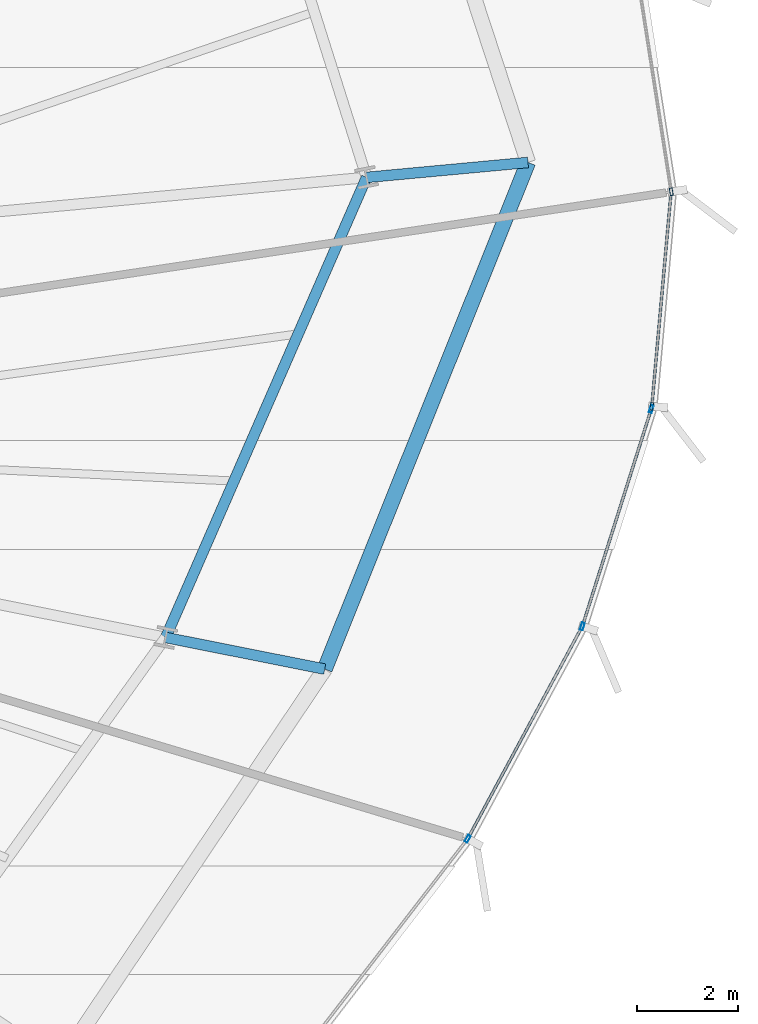
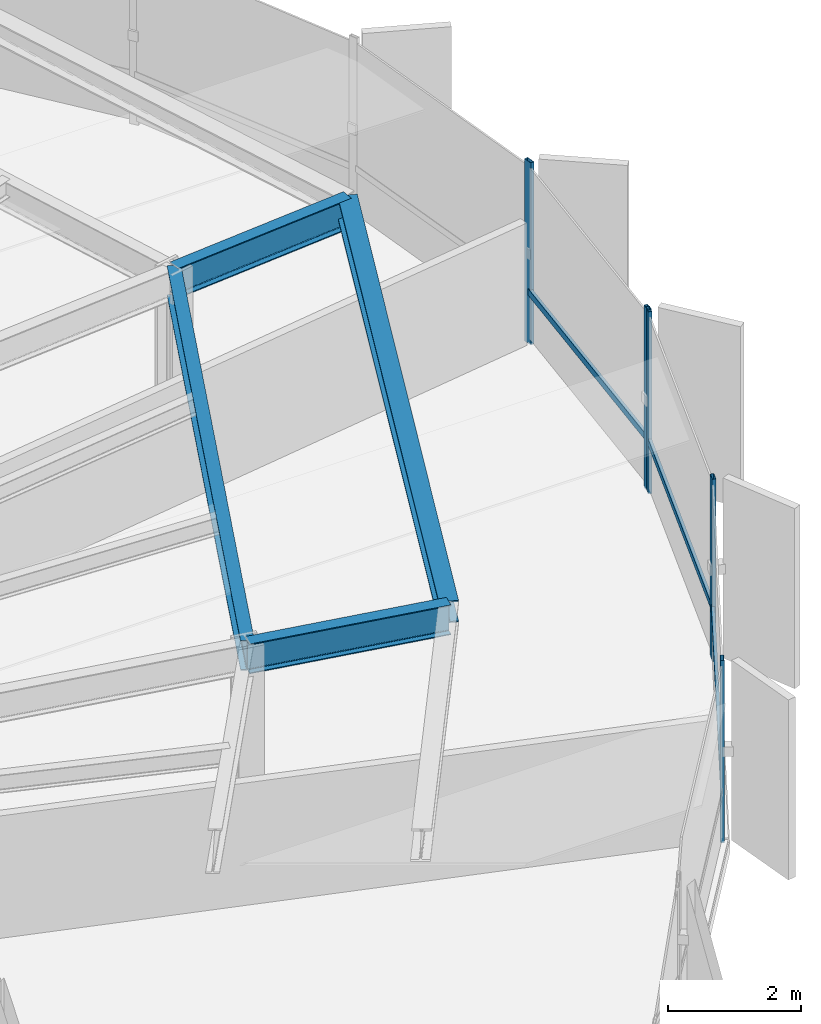
# One storey, part 15 of 35: 8 members, 4 beams, 2 elements without a shape of their own.
"""IFC4 building model written with IfcOpenShell, lengths in metres."""

import ifcopenshell
import ifcopenshell.guid

model = None  # the IFC model being written
_history = None  # IfcOwnerHistory: only IFC2X3 demands one
_inside = {}  # id of a spatial element -> (the spatial element, [elements in it])
_under = {}  # id of a project, library or spatial element -> (it, [spatial elements below it])
_declared = {}  # id of a project -> (the project, [libraries it declares])
_typed = {}  # id of a type object -> (the type object, [elements of that type])
_made_of = {}  # id of a material, layer set ... -> (it, [elements and type objects made of it])


def new_model(schema):
    """Start an empty IFC model of exactly this schema.

    Asked for "IFC4X3", IfcOpenShell would pick the latest addendum, in which some entities
    have other attributes; the version numbers below select the first issue.
    IFC2X3 requires an IfcOwnerHistory on every rooted entity: one is made here for all.
    """
    global model, _history
    if schema == "IFC4X3":
        model = ifcopenshell.file(schema_version=(4, 3, 0, 0))
    else:
        model = ifcopenshell.file(schema=schema)
    _inside.clear()
    _under.clear()
    _declared.clear()
    _typed.clear()
    _made_of.clear()
    _history = None
    if model.schema == "IFC2X3":
        org = make("IfcOrganization", Name="unknown")
        user = make(
            "IfcPersonAndOrganization",
            ThePerson=make("IfcPerson", FamilyName="unknown"),
            TheOrganization=org,
        )
        app = make(
            "IfcApplication",
            ApplicationDeveloper=org,
            Version="unknown",
            ApplicationFullName="unknown",
            ApplicationIdentifier="unknown",
        )
        _history = make(
            "IfcOwnerHistory",
            OwningUser=user,
            OwningApplication=app,
            ChangeAction="ADDED",
            CreationDate=0,
        )
    return model


def make(cls, **values):
    """One entity of the class cls with the attributes given. An attribute that is None is left unset."""
    return model.create_entity(
        cls, **{name: value for name, value in values.items() if value is not None}
    )


def rooted(cls, **values):
    """An entity with a GlobalId (a new one), such as an element, a storey or a relation."""
    return make(cls, GlobalId=ifcopenshell.guid.new(), OwnerHistory=_history, **values)


def si_unit(unit_type, name, prefix=None):
    """IfcSIUnit, for example si_unit("LENGTHUNIT", "METRE", prefix="MILLI")."""
    return make("IfcSIUnit", UnitType=unit_type, Prefix=prefix, Name=name)


def assignment(units):
    """IfcUnitAssignment: the units of a project."""
    return None if units is None else make("IfcUnitAssignment", Units=units)


def point(xyz):
    """IfcCartesianPoint."""
    return None if xyz is None else make("IfcCartesianPoint", Coordinates=xyz)


def direction(xyz):
    """IfcDirection."""
    return None if xyz is None else make("IfcDirection", DirectionRatios=xyz)


def frame(location, z_axis=None, x_axis=None):
    """IfcAxis2Placement3D, a coordinate frame: its origin and axes. An axis left out is left unset."""
    return make(
        "IfcAxis2Placement3D",
        Location=point(location),
        Axis=direction(z_axis),
        RefDirection=direction(x_axis),
    )


def frame_2d(location, x_axis=None):
    """IfcAxis2Placement2D, a coordinate frame in the plane: its origin and x axis."""
    return make(
        "IfcAxis2Placement2D", Location=point(location), RefDirection=direction(x_axis)
    )


def origin():
    """The frame at (0, 0, 0) with its axes left unset."""
    return frame((0.0, 0.0, 0.0))


def origin_2d():
    """The frame at (0, 0) in the plane with its x axis left unset."""
    return frame_2d((0.0, 0.0))


def place(relative_to, where):
    """IfcLocalPlacement: puts the frame where relative to a parent placement (None: the world)."""
    return make(
        "IfcLocalPlacement", PlacementRelTo=relative_to, RelativePlacement=where
    )


def context(
    kind, dimensions, precision=None, world=None, true_north=None, identifier=None
):
    """IfcGeometricRepresentationContext, for example the 3D "Model" context."""
    return make(
        "IfcGeometricRepresentationContext",
        ContextIdentifier=identifier,
        ContextType=kind,
        CoordinateSpaceDimension=dimensions,
        Precision=precision,
        WorldCoordinateSystem=world,
        TrueNorth=true_north,
    )


def subcontext(parent, identifier, kind, view, scale=None):
    """IfcGeometricRepresentationSubContext, for example "Body" below "Model"."""
    return make(
        "IfcGeometricRepresentationSubContext",
        ContextIdentifier=identifier,
        ContextType=kind,
        ParentContext=parent,
        TargetScale=scale,
        TargetView=view,
    )


def project(units=None, contexts=None):
    """IfcProject with its units and contexts."""
    return rooted(
        "IfcProject",
        Name="project",
        RepresentationContexts=contexts,
        UnitsInContext=assignment(units),
    )


def spatial(cls, under=None, at=None, **own):
    """A site, building, storey or space (cls), placed at a placement, below another one or the project."""
    s = rooted(cls, ObjectPlacement=at, **own)
    if under is not None:
        _under.setdefault(under.id(), (under, []))[1].append(s)
    return s


def profile(cls, at=None, kind="AREA", **sizes):
    """A parametric profile (cls). Its sizes go by their IFC names, for example OverallWidth=200.0."""
    return make(cls, ProfileType=kind, Position=at, **sizes)


def hollow_rectangle(**sizes):
    """IfcRectangleHollowProfileDef."""
    return profile("IfcRectangleHollowProfileDef", **sizes)


def i_section(**sizes):
    """IfcIShapeProfileDef."""
    return profile("IfcIShapeProfileDef", **sizes)


def extrude(swept, where, along, depth):
    """IfcExtrudedAreaSolid: the profile swept, set in the frame where, extruded along a direction by depth."""
    return make(
        "IfcExtrudedAreaSolid",
        SweptArea=swept,
        Position=where,
        ExtrudedDirection=direction(along),
        Depth=depth,
    )


def shape(context_of_items, identifier, shape_type, items):
    """IfcShapeRepresentation: the items that make up one representation, for example the "Body"."""
    return make(
        "IfcShapeRepresentation",
        ContextOfItems=context_of_items,
        RepresentationIdentifier=identifier,
        RepresentationType=shape_type,
        Items=items,
    )


def source(mapping_origin, context_of_items, identifier, shape_type, items):
    """IfcRepresentationMap: a shape defined once, which mapped items show again and again."""
    return make(
        "IfcRepresentationMap",
        MappingOrigin=mapping_origin,
        MappedRepresentation=shape(context_of_items, identifier, shape_type, items),
    )


def transform(
    local_origin,
    x_axis=None,
    y_axis=None,
    z_axis=None,
    scale=None,
    scale2=None,
    scale3=None,
    uniform=True,
):
    """IfcCartesianTransformationOperator3D, or its non-uniform kind. x_axis, y_axis, z_axis: its Axis1, 2, 3."""
    if uniform:
        return make(
            "IfcCartesianTransformationOperator3D",
            Axis1=direction(x_axis),
            Axis2=direction(y_axis),
            LocalOrigin=point(local_origin),
            Scale=scale,
            Axis3=direction(z_axis),
        )
    return make(
        "IfcCartesianTransformationOperator3DnonUniform",
        Axis1=direction(x_axis),
        Axis2=direction(y_axis),
        LocalOrigin=point(local_origin),
        Scale=scale,
        Axis3=direction(z_axis),
        Scale2=scale2,
        Scale3=scale3,
    )


def mapped(mapping_source, mapping_target):
    """IfcMappedItem: shows the shape of a source again, moved by a transform."""
    return make(
        "IfcMappedItem", MappingSource=mapping_source, MappingTarget=mapping_target
    )


def material(Name=None, Category=None):
    """IfcMaterial."""
    return make("IfcMaterial", Name=Name, Category=Category)


def layer(
    of_material, thickness, ventilated=None, Name=None, Category=None, Priority=None
):
    """IfcMaterialLayer: one layer of a wall or slab, of a material (None: an air gap)."""
    return make(
        "IfcMaterialLayer",
        Material=of_material,
        LayerThickness=thickness,
        IsVentilated=ventilated,
        Name=Name,
        Category=Category,
        Priority=Priority,
    )


def layer_set(layers, Name=None):
    """IfcMaterialLayerSet."""
    return make("IfcMaterialLayerSet", MaterialLayers=layers, LayerSetName=Name)


def material_profile(
    of_material, cross_section, Name=None, Category=None, Priority=None
):
    """IfcMaterialProfile: a cross section and its material."""
    return make(
        "IfcMaterialProfile",
        Name=Name,
        Material=of_material,
        Profile=cross_section,
        Priority=Priority,
        Category=Category,
    )


def profile_set(profiles, Name=None, composite=None):
    """IfcMaterialProfileSet."""
    return make(
        "IfcMaterialProfileSet",
        Name=Name,
        MaterialProfiles=profiles,
        CompositeProfile=composite,
    )


def made_of(thing, what):
    """Note that an element or type object is made of a material, layer set ...; save() writes the relation."""
    if what is not None:
        _made_of.setdefault(what.id(), (what, []))[1].append(thing)
    return thing


def type_object(cls, material=None, **own):
    """A type object (cls), such as IfcWallType, which elements share."""
    return made_of(rooted(cls, **own), material)


def element(
    cls,
    number,
    at=None,
    inside=None,
    cuts=None,
    type_object=None,
    material=None,
    context=None,
    identifier="Body",
    shape_type=None,
    held_by="IfcProductDefinitionShape",
    body=None,
    shapes=None,
    **own,
):
    """One element of the class cls, such as IfcWall. Its Tag is "e" and its number.

    at: its placement. inside: the storey or other place that contains it. cuts: it is an
    opening in that element (IfcRelVoidsElement). A single representation is given by context,
    identifier, shape_type and body (its items); several are given by shapes. held_by: the class
    of the entity that holds the representations. save() writes the other relations.
    """
    e = rooted(cls, Tag="e%d" % number, ObjectPlacement=at, **own)
    if body is not None:
        shapes = [shape(context, identifier, shape_type, body)]
    if shapes is not None:
        e.Representation = make(held_by, Representations=shapes)
    if inside is not None:
        _inside.setdefault(inside.id(), (inside, []))[1].append(e)
    if cuts is not None:
        rooted(
            "IfcRelVoidsElement", RelatingBuildingElement=cuts, RelatedOpeningElement=e
        )
    if type_object is not None:
        _typed.setdefault(type_object.id(), (type_object, []))[1].append(e)
    return made_of(e, material)


def aggregate(whole, parts):
    """IfcRelAggregates: a whole, such as a stair, and the parts it consists of."""
    return rooted("IfcRelAggregates", RelatingObject=whole, RelatedObjects=parts)


def save(model, path):
    """Write the relations noted so far, then the file.

    IfcRelAggregates (storeys below a building ...), IfcRelContainedInSpatialStructure (elements
    in a storey), IfcRelDefinesByType, IfcRelAssociatesMaterial and IfcRelDeclares: one each for
    every whole, place, type object, material and project.
    """
    for whole, parts in _under.values():
        aggregate(whole, parts)
    for where, things in _inside.values():
        rooted(
            "IfcRelContainedInSpatialStructure",
            RelatedElements=things,
            RelatingStructure=where,
        )
    for kind, things in _typed.values():
        rooted("IfcRelDefinesByType", RelatedObjects=things, RelatingType=kind)
    for what, things in _made_of.values():
        rooted("IfcRelAssociatesMaterial", RelatedObjects=things, RelatingMaterial=what)
    for by, libraries in _declared.values():
        rooted("IfcRelDeclares", RelatingContext=by, RelatedDefinitions=libraries)
    model.write(path)


model = new_model("IFC4")

# Units and contexts
model_context = context("Model", 3, precision=1e-05, world=origin(), true_north=direction((0.0, 1.0)))
body_context = subcontext(model_context, "Body", "Model", "MODEL_VIEW")
ifc_project = project(units=[si_unit("LENGTHUNIT", "METRE"), si_unit("AREAUNIT", "SQUARE_METRE"), si_unit("VOLUMEUNIT", "CUBIC_METRE"), si_unit("PLANEANGLEUNIT", "RADIAN"), si_unit("MASSUNIT", "GRAM", prefix="KILO"), si_unit("THERMODYNAMICTEMPERATUREUNIT", "KELVIN")], contexts=[model_context])

# Site, building, storey
site_placement = place(None, origin())
site = spatial("IfcSite", under=ifc_project, at=site_placement, CompositionType="ELEMENT")
building_placement = place(site_placement, origin())
building = spatial("IfcBuilding", under=site, at=building_placement, Name="Kethvar Cultural Tower", CompositionType="ELEMENT")
storey_placement = place(building_placement, frame((0.0, 0.0, 100.0)))
storey = spatial("IfcBuildingStorey", under=building, at=storey_placement, Name="L24", CompositionType="ELEMENT", Elevation=100.0)

# Beams
ifc_material_1 = material(Name="Steel S355J2", Category="steel")
ifc_material_profile_1 = material_profile(ifc_material_1, i_section(OverallWidth=0.2099609375, OverallDepth=0.550048828125, WebThickness=0.010986328125, FlangeThickness=0.01708984375, FilletRadius=0.02392578125, at=origin_2d()), Name="Steel S355J2 — IPE550")
ifc_profile_set_1 = profile_set([ifc_material_profile_1], Name="Steel S355J2 — IPE550")
beam_type_1 = type_object("IfcBeamType", Name="BM-IPE550", PredefinedType="BEAM", material=ifc_profile_set_1)
shared_shape_1 = source(origin(), body_context, "Body", "SweptSolid", [
    extrude(i_section(OverallWidth=0.2099609375, OverallDepth=0.550048828125, WebThickness=0.010986328125, FlangeThickness=0.01708984375, FilletRadius=0.02392578125, at=origin_2d()), origin(), (0.0, 0.0, 1.0), 3.199951171875),
])
for number, where, z_axis, x_axis, name in (
    (1, (71.6025390625, 32.7333984375, 3.072998046875), (0.995729641608, 0.092317283453, 0.0), (-0.092317283453, 0.995729641608, 0.0), "L24 Perimeter Cantilever Beam RC-01"),
    (2, (67.638671875, 23.65478515625, 3.072998046875), (0.980785550224, -0.195088965533, 0.0), (0.195088965533, 0.980785550224, 0.0), "L24 Perimeter Cantilever Beam RC-16"),
):
    element("IfcBeam", number, at=place(storey_placement, frame(where, z_axis=z_axis, x_axis=x_axis)), inside=storey, type_object=beam_type_1, Name=name, PredefinedType="BEAM", context=body_context, shape_type="MappedRepresentation", body=[
        mapped(shared_shape_1, transform((0.0, 0.0, 0.0), scale=1.0)),
    ])
shared_shape_2 = source(origin(), body_context, "Body", "SweptSolid", [
    extrude(i_section(OverallWidth=0.2099609375, OverallDepth=0.550048828125, WebThickness=0.010986328125, FlangeThickness=0.01708984375, FilletRadius=0.02392578125, at=origin_2d()), origin(), (0.0, 0.0, 1.0), 9.90625),
])
beam_1_placement = place(storey_placement, frame((67.638671875, 23.65478515625, 3.072998046875), z_axis=(0.400138679026, 0.916454602011, 0.0), x_axis=(-0.916454602011, 0.400138679026, 0.0)))
element("IfcBeam", 3, at=beam_1_placement, inside=storey, type_object=beam_type_1, Name="L24 Column Ring Tie Beam CR-16", PredefinedType="BEAM", context=body_context, shape_type="MappedRepresentation", body=[
    mapped(shared_shape_2, transform((0.0, 0.0, 0.0), scale=1.0)),
])
ifc_material_profile_2 = material_profile(ifc_material_1, i_section(OverallWidth=0.300048828125, OverallDepth=0.39990234375, WebThickness=0.013427734375, FlangeThickness=0.02392578125, FilletRadius=0.027099609375, at=origin_2d()), Name="Steel S355J2 — HEB400")
ifc_profile_set_2 = profile_set([ifc_material_profile_2], Name="Steel S355J2 — HEB400")
beam_type_2 = type_object("IfcBeamType", Name="BM-SP400", PredefinedType="SPANDREL", material=ifc_profile_set_2)
shared_shape_3 = source(origin(), body_context, "Body", "SweptSolid", [
    extrude(i_section(OverallWidth=0.300048828125, OverallDepth=0.39990234375, WebThickness=0.013427734375, FlangeThickness=0.02392578125, FilletRadius=0.027099609375, at=origin_2d()), origin(), (0.0, 0.0, 1.0), 10.773193359375),
])
beam_2_placement = place(storey_placement, frame((70.777099609375, 23.030517578125, 3.14794921875), z_axis=(0.372382905959, 0.928079183771, 0.0), x_axis=(-0.928079183771, 0.372382905959, 0.0)))
element("IfcBeam", 4, at=beam_2_placement, inside=storey, type_object=beam_type_2, Name="L24 Perimeter Spandrel Beam SP-16", PredefinedType="SPANDREL", context=body_context, shape_type="MappedRepresentation", body=[
    mapped(shared_shape_3, transform((0.0, 0.0, 0.0), scale=1.0)),
])

# Curtain wall, members
ifc_material_2 = material(Name="Aluminium 6063-T6", Category="aluminium")
ifc_layer = layer(ifc_material_2, 0.179931640625, Name="Aluminium 6063-T6", Category="aluminium")
ifc_layer_set = layer_set([ifc_layer], Name="Aluminium 6063-T6 (180 mm)")
curtain_wall_type = type_object("IfcCurtainWallType", Name="CW-SYS-03-Z2", PredefinedType="NOTDEFINED", material=ifc_layer_set)
curtain_wall_1_placement = place(storey_placement, origin())
curtain_wall_1 = element("IfcCurtainWall", 5, at=curtain_wall_1_placement, inside=storey, type_object=curtain_wall_type, Name="L24 Curtain Wall Run 06", PredefinedType="NOTDEFINED")
ifc_material_profile_3 = material_profile(ifc_material_2, hollow_rectangle(XDim=0.06005859375, YDim=0.14990234375, WallThickness=0.0048828125, at=origin_2d()), Name="Aluminium 6063-T6 — RHS150x60x5")
ifc_profile_set_3 = profile_set([ifc_material_profile_3], Name="Aluminium 6063-T6 — RHS150x60x5")
member_type_1 = type_object("IfcMemberType", Name="CW-SYS-03-Z2-MUL", PredefinedType="MULLION", material=ifc_profile_set_3)
shared_shape_4 = source(origin(), body_context, "Body", "SweptSolid", [
    extrude(hollow_rectangle(XDim=0.06005859375, YDim=0.14990234375, WallThickness=0.0048828125, at=origin_2d()), origin(), (0.0, 0.0, 1.0), 3.35009765625),
])
member_1_placement = place(storey_placement, frame((73.5986328125, 19.682373046875, 0.0), z_axis=(0.0, 0.0, 1.0), x_axis=(-0.880195868894, 0.474610611324, 0.0)))
member_1 = element("IfcMember", 6, at=member_1_placement, type_object=member_type_1, Name="CW-L24-R06 Mullion 5", PredefinedType="MULLION", context=body_context, shape_type="MappedRepresentation", body=[
    mapped(shared_shape_4, transform((0.0, 0.0, 0.0), scale=1.0)),
])
member_2_placement = place(storey_placement, frame((75.86083984375, 23.87353515625, 0.0), z_axis=(0.0, 0.0, 1.0), x_axis=(-0.953211774871, 0.302303344751, 0.0)))
member_2 = element("IfcMember", 7, at=member_2_placement, type_object=member_type_1, Name="CW-L24-R06 Mullion 6", PredefinedType="MULLION", context=body_context, shape_type="MappedRepresentation", body=[
    mapped(shared_shape_4, transform((0.0, 0.0, 0.0), scale=1.0)),
])
member_3_placement = place(storey_placement, frame((77.2216796875, 28.164306640625, 0.0), z_axis=(0.0, 0.0, 1.0), x_axis=(-0.953211774871, 0.302303344751, 0.0)))
member_3 = element("IfcMember", 8, at=member_3_placement, type_object=member_type_1, Name="CW-L24-R06 Mullion 7", PredefinedType="MULLION", context=body_context, shape_type="MappedRepresentation", body=[
    mapped(shared_shape_4, transform((0.0, 0.0, 0.0), scale=1.0)),
])

curtain_wall_2_placement = place(storey_placement, origin())
curtain_wall_2 = element("IfcCurtainWall", 9, at=curtain_wall_2_placement, inside=storey, type_object=curtain_wall_type, Name="L24 Curtain Wall Run 07", PredefinedType="NOTDEFINED")
member_4_placement = place(storey_placement, frame((77.23193359375, 28.2158203125, 0.0), z_axis=(0.0, 0.0, 1.0), x_axis=(-0.996000623907, 0.089346276796, 0.0)))
member_4 = element("IfcMember", 10, at=member_4_placement, type_object=member_type_1, Name="CW-L24-R07 Mullion 1", PredefinedType="MULLION", context=body_context, shape_type="MappedRepresentation", body=[
    mapped(shared_shape_4, transform((0.0, 0.0, 0.0), scale=1.0)),
])
member_5_placement = place(storey_placement, frame((77.615234375, 32.448974609375, 0.0), z_axis=(0.0, 0.0, 1.0), x_axis=(-0.988013809691, -0.15436551383, 0.0)))
member_5 = element("IfcMember", 11, at=member_5_placement, type_object=member_type_1, Name="CW-L24-R07 Mullion 2", PredefinedType="MULLION", context=body_context, shape_type="MappedRepresentation", body=[
    mapped(shared_shape_4, transform((0.0, 0.0, 0.0), scale=1.0)),
])

# Member
ifc_material_profile_4 = material_profile(ifc_material_2, hollow_rectangle(XDim=0.054931640625, YDim=0.1201171875, WallThickness=0.00390625, at=origin_2d()), Name="Aluminium 6063-T6 — RHS120x55x4")
ifc_profile_set_4 = profile_set([ifc_material_profile_4], Name="Aluminium 6063-T6 — RHS120x55x4")
member_type_2 = type_object("IfcMemberType", Name="CW-SYS-03-Z2-TRN", PredefinedType="USERDEFINED", material=ifc_profile_set_4)
shared_shape_5 = source(origin(), body_context, "Body", "SweptSolid", [
    extrude(hollow_rectangle(XDim=0.054931640625, YDim=0.1201171875, WallThickness=0.00390625, at=origin_2d()), origin(), (0.0, 0.0, 1.0), 4.697998046875),
])
member_6_placement = place(storey_placement, frame((73.619140625, 19.72021484375, 0.949951171875), z_axis=(0.474604863418, 0.8801989682, 0.0), x_axis=(-0.8801989682, 0.474604863418, 0.0)))
member_6 = element("IfcMember", 12, at=member_6_placement, type_object=member_type_2, Name="CW-L24-R06 Transom 5", ObjectType="TRANSOM", PredefinedType="USERDEFINED", context=body_context, shape_type="MappedRepresentation", body=[
    mapped(shared_shape_5, transform((0.0, 0.0, 0.0), scale=1.0)),
])

shared_shape_6 = source(origin(), body_context, "Body", "SweptSolid", [
    extrude(hollow_rectangle(XDim=0.054931640625, YDim=0.1201171875, WallThickness=0.00390625, at=origin_2d()), origin(), (0.0, 0.0, 1.0), 4.4541015625),
])
member_7_placement = place(storey_placement, frame((75.873779296875, 23.914794921875, 0.949951171875), z_axis=(0.302348329472, 0.953197507165, 0.0), x_axis=(-0.953197507165, 0.302348329472, 0.0)))
member_7 = element("IfcMember", 13, at=member_7_placement, type_object=member_type_2, Name="CW-L24-R06 Transom 6", ObjectType="TRANSOM", PredefinedType="USERDEFINED", context=body_context, shape_type="MappedRepresentation", body=[
    mapped(shared_shape_6, transform((0.0, 0.0, 0.0), scale=1.0)),
])

aggregate(curtain_wall_1, [member_1, member_2, member_3, member_6, member_7])

shared_shape_7 = source(origin(), body_context, "Body", "SweptSolid", [
    extrude(hollow_rectangle(XDim=0.054931640625, YDim=0.1201171875, WallThickness=0.00390625, at=origin_2d()), origin(), (0.0, 0.0, 1.0), 4.23046875),
])
member_8_placement = place(storey_placement, frame((77.232421875, 28.22021484375, 0.949951171875), z_axis=(0.089333722063, 0.99600175005, 0.0), x_axis=(-0.99600175005, 0.089333722063, 0.0)))
member_8 = element("IfcMember", 14, at=member_8_placement, type_object=member_type_2, Name="CW-L24-R07 Transom 1", ObjectType="TRANSOM", PredefinedType="USERDEFINED", context=body_context, shape_type="MappedRepresentation", body=[
    mapped(shared_shape_7, transform((0.0, 0.0, 0.0), scale=1.0)),
])

aggregate(curtain_wall_2, [member_4, member_5, member_8])

save(model, "model.ifc")
